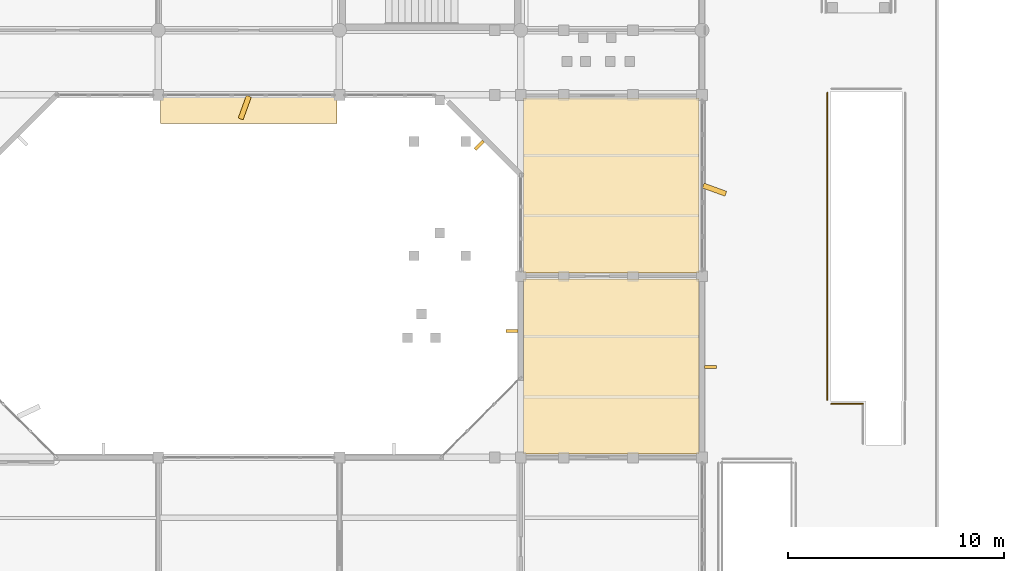
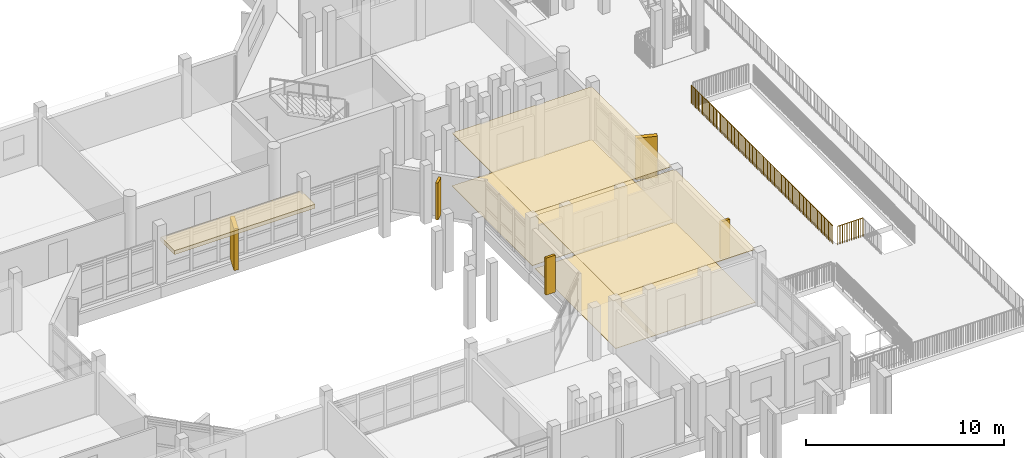
# One storey, part 83 of 104: 7 coverings, 3 shading devices, 2 railings.
"""IFC4 building model written with IfcOpenShell, lengths in metres."""

from ifc_helpers import new_model, si_unit, direction, frame, origin, origin_2d, place, context, subcontext, project, spatial, polyline, rectangle, circle, outline, extrude, material, layer, layer_set, type_object, element, save


model = new_model("IFC4")

# Units and contexts
model_context = context("Model", 3, precision=1e-05, world=origin(), true_north=direction((0.0, 1.0)))
body_context = subcontext(model_context, "Body", "Model", "MODEL_VIEW")
ifc_project = project(units=[si_unit("LENGTHUNIT", "METRE"), si_unit("AREAUNIT", "SQUARE_METRE"), si_unit("VOLUMEUNIT", "CUBIC_METRE"), si_unit("PLANEANGLEUNIT", "RADIAN"), si_unit("MASSUNIT", "GRAM", prefix="KILO")], contexts=[model_context])

# Site, building, storey
site_placement = place(None, origin())
site = spatial("IfcSite", under=ifc_project, at=site_placement, CompositionType="ELEMENT")
building_placement = place(site_placement, origin())
building = spatial("IfcBuilding", under=site, at=building_placement, Name="Vanh Quang Courtyard School", CompositionType="ELEMENT")
storey_placement = place(building_placement, frame((0.0, 0.0, 4.199951171875)))
storey = spatial("IfcBuildingStorey", under=building, at=storey_placement, Name="L01", CompositionType="ELEMENT", Elevation=4.199951171875)

# Coverings
ifc_material_1 = material(Name="Perforated mineral-fibre acoustic ceiling board")
ifc_layer_1 = layer(ifc_material_1, 0.02490234375)
ifc_layer_set_1 = layer_set([ifc_layer_1], Name="Perforated mineral-fibre acoustic ceiling board")
covering_type_1 = type_object("IfcCoveringType", Name="COV-CEIL-ACOUSTIC", PredefinedType="CEILING", material=ifc_layer_set_1)
covering_1_placement = place(storey_placement, frame((0.0, 0.0, 3.255126953125)))
element("IfcCovering", 1, at=covering_1_placement, inside=storey, type_object=covering_type_1, Name="Covering CV-CL1 (L01)", PredefinedType="CEILING", context=body_context, shape_type="SweptSolid", body=[
    extrude(outline(polyline([(111.139892578125, 12.749267578125), (111.138916015625, 12.749267578125), (111.137939453125, 12.74951171875), (111.13720703125, 12.74951171875), (111.13623046875, 12.75), (111.13525390625, 12.75048828125), (111.134521484375, 12.7509765625), (111.1337890625, 12.75146484375), (111.1328125, 12.752197265625), (111.13232421875, 12.7529296875), (111.131591796875, 12.753662109375), (111.131103515625, 12.75439453125), (111.130859375, 12.75537109375), (111.13037109375, 12.75634765625), (111.130126953125, 12.757080078125), (111.1298828125, 12.75830078125), (111.1298828125, 12.75927734375), (111.1298828125, 20.860107421875), (111.1298828125, 20.861083984375), (111.130126953125, 20.862060546875), (111.13037109375, 20.86279296875), (111.130859375, 20.86376953125), (111.131103515625, 20.86474609375), (111.131591796875, 20.865478515625), (111.13232421875, 20.8662109375), (111.1328125, 20.8671875), (111.1337890625, 20.86767578125), (111.134521484375, 20.868408203125), (111.13525390625, 20.868896484375), (111.13623046875, 20.869140625), (111.13720703125, 20.86962890625), (111.137939453125, 20.869873046875), (111.138916015625, 20.8701171875), (111.139892578125, 20.8701171875), (119.260009765625, 20.8701171875), (119.260986328125, 20.8701171875), (119.261962890625, 20.869873046875), (119.262939453125, 20.86962890625), (119.263916015625, 20.869140625), (119.2646484375, 20.868896484375), (119.265625, 20.868408203125), (119.266357421875, 20.86767578125), (119.26708984375, 20.8671875), (119.267578125, 20.8662109375), (119.268310546875, 20.865478515625), (119.268798828125, 20.86474609375), (119.269287109375, 20.86376953125), (119.26953125, 20.86279296875), (119.269775390625, 20.862060546875), (119.27001953125, 20.861083984375), (119.27001953125, 20.860107421875), (119.27001953125, 12.760009765625), (119.27001953125, 12.759033203125), (119.269775390625, 12.758056640625), (119.26953125, 12.757080078125), (119.269287109375, 12.756103515625), (119.268798828125, 12.75537109375), (119.268310546875, 12.75439453125), (119.267578125, 12.753662109375), (119.26708984375, 12.7529296875), (119.266357421875, 12.752197265625), (119.265625, 12.751708984375), (119.2646484375, 12.751220703125), (119.263916015625, 12.750732421875), (119.262939453125, 12.75048828125), (119.261962890625, 12.750244140625), (119.260986328125, 12.75), (119.260009765625, 12.75), (111.139892578125, 12.749267578125)])), origin(), (0.0, 0.0, 1.0), 0.02490234375),
])
covering_2_placement = place(storey_placement, frame((0.0, 0.0, 3.255126953125)))
element("IfcCovering", 2, at=covering_2_placement, inside=storey, type_object=covering_type_1, Name="Covering CV-CL1 (L01)", PredefinedType="CEILING", context=body_context, shape_type="SweptSolid", body=[
    extrude(outline(polyline([(111.139892578125, 21.14990234375), (111.138916015625, 21.14990234375), (111.137939453125, 21.150146484375), (111.13720703125, 21.150390625), (111.13623046875, 21.15087890625), (111.13525390625, 21.151123046875), (111.134521484375, 21.151611328125), (111.1337890625, 21.15234375), (111.1328125, 21.15283203125), (111.13232421875, 21.15380859375), (111.131591796875, 21.154296875), (111.131103515625, 21.1552734375), (111.130859375, 21.15625), (111.13037109375, 21.156982421875), (111.130126953125, 21.157958984375), (111.1298828125, 21.158935546875), (111.1298828125, 21.159912109375), (111.1298828125, 29.239990234375), (111.1298828125, 29.240966796875), (111.130126953125, 29.241943359375), (111.13037109375, 29.242919921875), (111.130859375, 29.243896484375), (111.131103515625, 29.24462890625), (111.131591796875, 29.24560546875), (111.13232421875, 29.246337890625), (111.1328125, 29.2470703125), (111.1337890625, 29.247802734375), (111.134521484375, 29.248291015625), (111.13525390625, 29.248779296875), (111.13623046875, 29.249267578125), (111.13720703125, 29.24951171875), (111.137939453125, 29.249755859375), (111.138916015625, 29.25), (111.139892578125, 29.25), (119.260009765625, 29.25), (119.260986328125, 29.25), (119.261962890625, 29.249755859375), (119.262939453125, 29.24951171875), (119.263916015625, 29.249267578125), (119.2646484375, 29.248779296875), (119.265625, 29.248291015625), (119.266357421875, 29.247802734375), (119.26708984375, 29.2470703125), (119.267578125, 29.246337890625), (119.268310546875, 29.24560546875), (119.268798828125, 29.24462890625), (119.269287109375, 29.243896484375), (119.26953125, 29.242919921875), (119.269775390625, 29.241943359375), (119.27001953125, 29.240966796875), (119.27001953125, 29.239990234375), (119.27001953125, 21.159912109375), (119.27001953125, 21.158935546875), (119.269775390625, 21.157958984375), (119.26953125, 21.156982421875), (119.269287109375, 21.15625), (119.268798828125, 21.1552734375), (119.268310546875, 21.154296875), (119.267578125, 21.15380859375), (119.26708984375, 21.15283203125), (119.266357421875, 21.15234375), (119.265625, 21.151611328125), (119.2646484375, 21.151123046875), (119.263916015625, 21.15087890625), (119.262939453125, 21.150390625), (119.261962890625, 21.150146484375), (119.260986328125, 21.14990234375), (119.260009765625, 21.14990234375), (111.139892578125, 21.14990234375)])), origin(), (0.0, 0.0, 1.0), 0.02490234375),
])
ifc_material_2 = material(Name="Polished cementitious terrazzo tile", Category="concrete")
ifc_layer_2 = layer(ifc_material_2, 0.02001953125)
ifc_layer_set_2 = layer_set([ifc_layer_2], Name="Polished cementitious terrazzo tile")
covering_type_2 = type_object("IfcCoveringType", Name="COV-FLR-TERRAZZO", PredefinedType="FLOORING", material=ifc_layer_set_2)
covering_3_placement = place(storey_placement, origin())
element("IfcCovering", 3, at=covering_3_placement, inside=storey, type_object=covering_type_2, Name="Covering CV-FL1 (L01)", PredefinedType="FLOORING", context=body_context, shape_type="SweptSolid", body=[
    extrude(outline(polyline([(111.139892578125, 12.749267578125), (111.138916015625, 12.749267578125), (111.137939453125, 12.74951171875), (111.13720703125, 12.74951171875), (111.13623046875, 12.75), (111.13525390625, 12.75048828125), (111.134521484375, 12.7509765625), (111.1337890625, 12.75146484375), (111.1328125, 12.752197265625), (111.13232421875, 12.7529296875), (111.131591796875, 12.753662109375), (111.131103515625, 12.75439453125), (111.130859375, 12.75537109375), (111.13037109375, 12.75634765625), (111.130126953125, 12.757080078125), (111.1298828125, 12.75830078125), (111.1298828125, 12.75927734375), (111.1298828125, 20.860107421875), (111.1298828125, 20.861083984375), (111.130126953125, 20.862060546875), (111.13037109375, 20.86279296875), (111.130859375, 20.86376953125), (111.131103515625, 20.86474609375), (111.131591796875, 20.865478515625), (111.13232421875, 20.8662109375), (111.1328125, 20.8671875), (111.1337890625, 20.86767578125), (111.134521484375, 20.868408203125), (111.13525390625, 20.868896484375), (111.13623046875, 20.869140625), (111.13720703125, 20.86962890625), (111.137939453125, 20.869873046875), (111.138916015625, 20.8701171875), (111.139892578125, 20.8701171875), (119.260009765625, 20.8701171875), (119.260986328125, 20.8701171875), (119.261962890625, 20.869873046875), (119.262939453125, 20.86962890625), (119.263916015625, 20.869140625), (119.2646484375, 20.868896484375), (119.265625, 20.868408203125), (119.266357421875, 20.86767578125), (119.26708984375, 20.8671875), (119.267578125, 20.8662109375), (119.268310546875, 20.865478515625), (119.268798828125, 20.86474609375), (119.269287109375, 20.86376953125), (119.26953125, 20.86279296875), (119.269775390625, 20.862060546875), (119.27001953125, 20.861083984375), (119.27001953125, 20.860107421875), (119.27001953125, 12.760009765625), (119.27001953125, 12.759033203125), (119.269775390625, 12.758056640625), (119.26953125, 12.757080078125), (119.269287109375, 12.756103515625), (119.268798828125, 12.75537109375), (119.268310546875, 12.75439453125), (119.267578125, 12.753662109375), (119.26708984375, 12.7529296875), (119.266357421875, 12.752197265625), (119.265625, 12.751708984375), (119.2646484375, 12.751220703125), (119.263916015625, 12.750732421875), (119.262939453125, 12.75048828125), (119.261962890625, 12.750244140625), (119.260986328125, 12.75), (119.260009765625, 12.75), (111.139892578125, 12.749267578125)])), origin(), (0.0, 0.0, 1.0), 0.02001953125),
])
covering_4_placement = place(storey_placement, origin())
element("IfcCovering", 4, at=covering_4_placement, inside=storey, type_object=covering_type_2, Name="Covering CV-FL1 (L01)", PredefinedType="FLOORING", context=body_context, shape_type="SweptSolid", body=[
    extrude(outline(polyline([(111.139892578125, 21.14990234375), (111.138916015625, 21.14990234375), (111.137939453125, 21.150146484375), (111.13720703125, 21.150390625), (111.13623046875, 21.15087890625), (111.13525390625, 21.151123046875), (111.134521484375, 21.151611328125), (111.1337890625, 21.15234375), (111.1328125, 21.15283203125), (111.13232421875, 21.15380859375), (111.131591796875, 21.154296875), (111.131103515625, 21.1552734375), (111.130859375, 21.15625), (111.13037109375, 21.156982421875), (111.130126953125, 21.157958984375), (111.1298828125, 21.158935546875), (111.1298828125, 21.159912109375), (111.1298828125, 29.239990234375), (111.1298828125, 29.240966796875), (111.130126953125, 29.241943359375), (111.13037109375, 29.242919921875), (111.130859375, 29.243896484375), (111.131103515625, 29.24462890625), (111.131591796875, 29.24560546875), (111.13232421875, 29.246337890625), (111.1328125, 29.2470703125), (111.1337890625, 29.247802734375), (111.134521484375, 29.248291015625), (111.13525390625, 29.248779296875), (111.13623046875, 29.249267578125), (111.13720703125, 29.24951171875), (111.137939453125, 29.249755859375), (111.138916015625, 29.25), (111.139892578125, 29.25), (119.260009765625, 29.25), (119.260986328125, 29.25), (119.261962890625, 29.249755859375), (119.262939453125, 29.24951171875), (119.263916015625, 29.249267578125), (119.2646484375, 29.248779296875), (119.265625, 29.248291015625), (119.266357421875, 29.247802734375), (119.26708984375, 29.2470703125), (119.267578125, 29.246337890625), (119.268310546875, 29.24560546875), (119.268798828125, 29.24462890625), (119.269287109375, 29.243896484375), (119.26953125, 29.242919921875), (119.269775390625, 29.241943359375), (119.27001953125, 29.240966796875), (119.27001953125, 29.239990234375), (119.27001953125, 21.159912109375), (119.27001953125, 21.158935546875), (119.269775390625, 21.157958984375), (119.26953125, 21.156982421875), (119.269287109375, 21.15625), (119.268798828125, 21.1552734375), (119.268310546875, 21.154296875), (119.267578125, 21.15380859375), (119.26708984375, 21.15283203125), (119.266357421875, 21.15234375), (119.265625, 21.151611328125), (119.2646484375, 21.151123046875), (119.263916015625, 21.15087890625), (119.262939453125, 21.150390625), (119.261962890625, 21.150146484375), (119.260986328125, 21.14990234375), (119.260009765625, 21.14990234375), (111.139892578125, 21.14990234375)])), origin(), (0.0, 0.0, 1.0), 0.02001953125),
])
ifc_material_3 = material(Name="Board-marked precast concrete C40/50", Category="concrete")
ifc_layer_3 = layer(ifc_material_3, 0.239990234375)
ifc_layer_set_3 = layer_set([ifc_layer_3], Name="Board-marked precast concrete C40/50")
covering_type_3 = type_object("IfcCoveringType", Name="COV-HOOD-CONC", PredefinedType="CLADDING", material=ifc_layer_set_3)
covering_5_placement = place(storey_placement, frame((119.985107421875, 25.010009765625, 0.0), z_axis=(0.0, 0.0, 1.0), x_axis=(0.94028812701, -0.340379550213, 0.0)))
element("IfcCovering", 5, at=covering_5_placement, inside=storey, type_object=covering_type_3, Name="Covering CH-01 (L01)", PredefinedType="CLADDING", context=body_context, shape_type="SweptSolid", body=[
    extrude(rectangle(XDim=1.11669921875, YDim=0.239990234375, at=origin_2d()), origin(), (0.0, 0.0, 1.0), 2.56005859375),
])
covering_6_placement = place(storey_placement, frame((98.39990234375, 28.780029296875, 2.3798828125), z_axis=(0.0, 0.0, 1.0), x_axis=(-1.0, 0.0, 0.0)))
element("IfcCovering", 6, at=covering_6_placement, inside=storey, type_object=covering_type_3, Name="Covering CH-01 (L01)", PredefinedType="CLADDING", context=body_context, shape_type="SweptSolid", body=[
    extrude(rectangle(XDim=8.18408203125, YDim=1.39990234375, at=origin_2d()), origin(), (0.0, 0.0, 1.0), 0.239990234375),
])
covering_7_placement = place(storey_placement, frame((98.2099609375, 28.81494140625, 0.0), z_axis=(0.0, 0.0, 1.0), x_axis=(-0.340379550213, -0.94028812701, 0.0)))
element("IfcCovering", 7, at=covering_7_placement, inside=storey, type_object=covering_type_3, Name="Covering CH-01 (L01)", PredefinedType="CLADDING", context=body_context, shape_type="SweptSolid", body=[
    extrude(rectangle(XDim=1.11669921875, YDim=0.239990234375, at=origin_2d()), origin(), (0.0, 0.0, 1.0), 2.56005859375),
])

# Railings
ifc_material_4 = material(Name="Galvanised painted steel EN 10025-2 S355J2", Category="steel")
railing_type = type_object("IfcRailingType", Name="RAIL-GUARD-1150", PredefinedType="BALUSTRADE", material=ifc_material_4)
railing_1_placement = place(storey_placement, frame((125.2099609375, 29.5, 0.0)))
element("IfcRailing", 8, at=railing_1_placement, inside=storey, type_object=railing_type, Name="Railing GR-01 (L01)", PredefinedType="BALUSTRADE", context=body_context, shape_type="SweptSolid", body=[
    extrude(circle(Radius=0.02392578125, at=origin_2d()), frame((0.0, 0.0, 1.1259765625), z_axis=(0.0, -1.0, 0.0), x_axis=(1.0, 0.0, 0.0)), (0.0, 0.0, 1.0), 14.22998046875),
    extrude(circle(Radius=0.02099609375, at=origin_2d()), origin(), (0.0, 0.0, 1.0), 1.101806640625),
    extrude(circle(Radius=0.02099609375, at=origin_2d()), frame((0.0, -0.139404296875, 0.0)), (0.0, 0.0, 1.0), 1.101806640625),
    extrude(circle(Radius=0.02099609375, at=origin_2d()), frame((0.0, -0.279052734375, 0.0)), (0.0, 0.0, 1.0), 1.101806640625),
    extrude(circle(Radius=0.02099609375, at=origin_2d()), frame((0.0, -0.41845703125, 0.0)), (0.0, 0.0, 1.0), 1.101806640625),
    extrude(circle(Radius=0.02099609375, at=origin_2d()), frame((0.0, -0.55810546875, 0.0)), (0.0, 0.0, 1.0), 1.101806640625),
    extrude(circle(Radius=0.02099609375, at=origin_2d()), frame((0.0, -0.697509765625, 0.0)), (0.0, 0.0, 1.0), 1.101806640625),
    extrude(circle(Radius=0.02099609375, at=origin_2d()), frame((0.0, -0.837158203125, 0.0)), (0.0, 0.0, 1.0), 1.101806640625),
    extrude(circle(Radius=0.02099609375, at=origin_2d()), frame((0.0, -0.9765625, 0.0)), (0.0, 0.0, 1.0), 1.101806640625),
    extrude(circle(Radius=0.02099609375, at=origin_2d()), frame((0.0, -1.115966796875, 0.0)), (0.0, 0.0, 1.0), 1.101806640625),
    extrude(circle(Radius=0.02099609375, at=origin_2d()), frame((0.0, -1.255615234375, 0.0)), (0.0, 0.0, 1.0), 1.101806640625),
    extrude(circle(Radius=0.02099609375, at=origin_2d()), frame((0.0, -1.39501953125, 0.0)), (0.0, 0.0, 1.0), 1.101806640625),
    extrude(circle(Radius=0.02099609375, at=origin_2d()), frame((0.0, -1.53466796875, 0.0)), (0.0, 0.0, 1.0), 1.101806640625),
    extrude(circle(Radius=0.02099609375, at=origin_2d()), frame((0.0, -1.674072265625, 0.0)), (0.0, 0.0, 1.0), 1.101806640625),
    extrude(circle(Radius=0.02099609375, at=origin_2d()), frame((0.0, -1.813720703125, 0.0)), (0.0, 0.0, 1.0), 1.101806640625),
    extrude(circle(Radius=0.02099609375, at=origin_2d()), frame((0.0, -1.953125, 0.0)), (0.0, 0.0, 1.0), 1.101806640625),
    extrude(circle(Radius=0.02099609375, at=origin_2d()), frame((0.0, -2.092529296875, 0.0)), (0.0, 0.0, 1.0), 1.101806640625),
    extrude(circle(Radius=0.02099609375, at=origin_2d()), frame((0.0, -2.232177734375, 0.0)), (0.0, 0.0, 1.0), 1.101806640625),
    extrude(circle(Radius=0.02099609375, at=origin_2d()), frame((0.0, -2.37158203125, 0.0)), (0.0, 0.0, 1.0), 1.101806640625),
    extrude(circle(Radius=0.02099609375, at=origin_2d()), frame((0.0, -2.51123046875, 0.0)), (0.0, 0.0, 1.0), 1.101806640625),
    extrude(circle(Radius=0.02099609375, at=origin_2d()), frame((0.0, -2.650634765625, 0.0)), (0.0, 0.0, 1.0), 1.101806640625),
    extrude(circle(Radius=0.02099609375, at=origin_2d()), frame((0.0, -2.790283203125, 0.0)), (0.0, 0.0, 1.0), 1.101806640625),
    extrude(circle(Radius=0.02099609375, at=origin_2d()), frame((0.0, -2.9296875, 0.0)), (0.0, 0.0, 1.0), 1.101806640625),
    extrude(circle(Radius=0.02099609375, at=origin_2d()), frame((0.0, -3.069091796875, 0.0)), (0.0, 0.0, 1.0), 1.101806640625),
    extrude(circle(Radius=0.02099609375, at=origin_2d()), frame((0.0, -3.208740234375, 0.0)), (0.0, 0.0, 1.0), 1.101806640625),
    extrude(circle(Radius=0.02099609375, at=origin_2d()), frame((0.0, -3.34814453125, 0.0)), (0.0, 0.0, 1.0), 1.101806640625),
    extrude(circle(Radius=0.02099609375, at=origin_2d()), frame((0.0, -3.48779296875, 0.0)), (0.0, 0.0, 1.0), 1.101806640625),
    extrude(circle(Radius=0.02099609375, at=origin_2d()), frame((0.0, -3.627197265625, 0.0)), (0.0, 0.0, 1.0), 1.101806640625),
    extrude(circle(Radius=0.02099609375, at=origin_2d()), frame((0.0, -3.766845703125, 0.0)), (0.0, 0.0, 1.0), 1.101806640625),
    extrude(circle(Radius=0.02099609375, at=origin_2d()), frame((0.0, -3.90625, 0.0)), (0.0, 0.0, 1.0), 1.101806640625),
    extrude(circle(Radius=0.02099609375, at=origin_2d()), frame((0.0, -4.0458984375, 0.0)), (0.0, 0.0, 1.0), 1.101806640625),
    extrude(circle(Radius=0.02099609375, at=origin_2d()), frame((0.0, -4.185302734375, 0.0)), (0.0, 0.0, 1.0), 1.101806640625),
    extrude(circle(Radius=0.02099609375, at=origin_2d()), frame((0.0, -4.32470703125, 0.0)), (0.0, 0.0, 1.0), 1.101806640625),
    extrude(circle(Radius=0.02099609375, at=origin_2d()), frame((0.0, -4.46435546875, 0.0)), (0.0, 0.0, 1.0), 1.101806640625),
    extrude(circle(Radius=0.02099609375, at=origin_2d()), frame((0.0, -4.603759765625, 0.0)), (0.0, 0.0, 1.0), 1.101806640625),
    extrude(circle(Radius=0.02099609375, at=origin_2d()), frame((0.0, -4.743408203125, 0.0)), (0.0, 0.0, 1.0), 1.101806640625),
    extrude(circle(Radius=0.02099609375, at=origin_2d()), frame((0.0, -4.8828125, 0.0)), (0.0, 0.0, 1.0), 1.101806640625),
    extrude(circle(Radius=0.02099609375, at=origin_2d()), frame((0.0, -5.0224609375, 0.0)), (0.0, 0.0, 1.0), 1.101806640625),
    extrude(circle(Radius=0.02099609375, at=origin_2d()), frame((0.0, -5.161865234375, 0.0)), (0.0, 0.0, 1.0), 1.101806640625),
    extrude(circle(Radius=0.02099609375, at=origin_2d()), frame((0.0, -5.30126953125, 0.0)), (0.0, 0.0, 1.0), 1.101806640625),
    extrude(circle(Radius=0.02099609375, at=origin_2d()), frame((0.0, -5.44091796875, 0.0)), (0.0, 0.0, 1.0), 1.101806640625),
    extrude(circle(Radius=0.02099609375, at=origin_2d()), frame((0.0, -5.580322265625, 0.0)), (0.0, 0.0, 1.0), 1.101806640625),
    extrude(circle(Radius=0.02099609375, at=origin_2d()), frame((0.0, -5.719970703125, 0.0)), (0.0, 0.0, 1.0), 1.101806640625),
    extrude(circle(Radius=0.02099609375, at=origin_2d()), frame((0.0, -5.859375, 0.0)), (0.0, 0.0, 1.0), 1.101806640625),
    extrude(circle(Radius=0.02099609375, at=origin_2d()), frame((0.0, -5.9990234375, 0.0)), (0.0, 0.0, 1.0), 1.101806640625),
    extrude(circle(Radius=0.02099609375, at=origin_2d()), frame((0.0, -6.138427734375, 0.0)), (0.0, 0.0, 1.0), 1.101806640625),
    extrude(circle(Radius=0.02099609375, at=origin_2d()), frame((0.0, -6.27783203125, 0.0)), (0.0, 0.0, 1.0), 1.101806640625),
    extrude(circle(Radius=0.02099609375, at=origin_2d()), frame((0.0, -6.41748046875, 0.0)), (0.0, 0.0, 1.0), 1.101806640625),
    extrude(circle(Radius=0.02099609375, at=origin_2d()), frame((0.0, -6.556884765625, 0.0)), (0.0, 0.0, 1.0), 1.101806640625),
    extrude(circle(Radius=0.02099609375, at=origin_2d()), frame((0.0, -6.696533203125, 0.0)), (0.0, 0.0, 1.0), 1.101806640625),
    extrude(circle(Radius=0.02099609375, at=origin_2d()), frame((0.0, -6.8359375, 0.0)), (0.0, 0.0, 1.0), 1.101806640625),
    extrude(circle(Radius=0.02099609375, at=origin_2d()), frame((0.0, -6.9755859375, 0.0)), (0.0, 0.0, 1.0), 1.101806640625),
    extrude(circle(Radius=0.02099609375, at=origin_2d()), frame((0.0, -7.114990234375, 0.0)), (0.0, 0.0, 1.0), 1.101806640625),
    extrude(circle(Radius=0.02099609375, at=origin_2d()), frame((0.0, -7.25439453125, 0.0)), (0.0, 0.0, 1.0), 1.101806640625),
    extrude(circle(Radius=0.02099609375, at=origin_2d()), frame((0.0, -7.39404296875, 0.0)), (0.0, 0.0, 1.0), 1.101806640625),
    extrude(circle(Radius=0.02099609375, at=origin_2d()), frame((0.0, -7.533447265625, 0.0)), (0.0, 0.0, 1.0), 1.101806640625),
    extrude(circle(Radius=0.02099609375, at=origin_2d()), frame((0.0, -7.673095703125, 0.0)), (0.0, 0.0, 1.0), 1.101806640625),
    extrude(circle(Radius=0.02099609375, at=origin_2d()), frame((0.0, -7.8125, 0.0)), (0.0, 0.0, 1.0), 1.101806640625),
    extrude(circle(Radius=0.02099609375, at=origin_2d()), frame((0.0, -7.9521484375, 0.0)), (0.0, 0.0, 1.0), 1.101806640625),
    extrude(circle(Radius=0.02099609375, at=origin_2d()), frame((0.0, -8.091552734375, 0.0)), (0.0, 0.0, 1.0), 1.101806640625),
    extrude(circle(Radius=0.02099609375, at=origin_2d()), frame((0.0, -8.23095703125, 0.0)), (0.0, 0.0, 1.0), 1.101806640625),
    extrude(circle(Radius=0.02099609375, at=origin_2d()), frame((0.0, -8.37060546875, 0.0)), (0.0, 0.0, 1.0), 1.101806640625),
    extrude(circle(Radius=0.02099609375, at=origin_2d()), frame((0.0, -8.510009765625, 0.0)), (0.0, 0.0, 1.0), 1.101806640625),
    extrude(circle(Radius=0.02099609375, at=origin_2d()), frame((0.0, -8.649658203125, 0.0)), (0.0, 0.0, 1.0), 1.101806640625),
    extrude(circle(Radius=0.02099609375, at=origin_2d()), frame((0.0, -8.7890625, 0.0)), (0.0, 0.0, 1.0), 1.101806640625),
    extrude(circle(Radius=0.02099609375, at=origin_2d()), frame((0.0, -8.9287109375, 0.0)), (0.0, 0.0, 1.0), 1.101806640625),
    extrude(circle(Radius=0.02099609375, at=origin_2d()), frame((0.0, -9.068115234375, 0.0)), (0.0, 0.0, 1.0), 1.101806640625),
    extrude(circle(Radius=0.02099609375, at=origin_2d()), frame((0.0, -9.20751953125, 0.0)), (0.0, 0.0, 1.0), 1.101806640625),
    extrude(circle(Radius=0.02099609375, at=origin_2d()), frame((0.0, -9.34716796875, 0.0)), (0.0, 0.0, 1.0), 1.101806640625),
    extrude(circle(Radius=0.02099609375, at=origin_2d()), frame((0.0, -9.486572265625, 0.0)), (0.0, 0.0, 1.0), 1.101806640625),
    extrude(circle(Radius=0.02099609375, at=origin_2d()), frame((0.0, -9.626220703125, 0.0)), (0.0, 0.0, 1.0), 1.101806640625),
    extrude(circle(Radius=0.02099609375, at=origin_2d()), frame((0.0, -9.765625, 0.0)), (0.0, 0.0, 1.0), 1.101806640625),
    extrude(circle(Radius=0.02099609375, at=origin_2d()), frame((0.0, -9.9052734375, 0.0)), (0.0, 0.0, 1.0), 1.101806640625),
    extrude(circle(Radius=0.02099609375, at=origin_2d()), frame((0.0, -10.044677734375, 0.0)), (0.0, 0.0, 1.0), 1.101806640625),
    extrude(circle(Radius=0.02099609375, at=origin_2d()), frame((0.0, -10.18408203125, 0.0)), (0.0, 0.0, 1.0), 1.101806640625),
    extrude(circle(Radius=0.02099609375, at=origin_2d()), frame((0.0, -10.32373046875, 0.0)), (0.0, 0.0, 1.0), 1.101806640625),
    extrude(circle(Radius=0.02099609375, at=origin_2d()), frame((0.0, -10.463134765625, 0.0)), (0.0, 0.0, 1.0), 1.101806640625),
    extrude(circle(Radius=0.02099609375, at=origin_2d()), frame((0.0, -10.602783203125, 0.0)), (0.0, 0.0, 1.0), 1.101806640625),
    extrude(circle(Radius=0.02099609375, at=origin_2d()), frame((0.0, -10.7421875, 0.0)), (0.0, 0.0, 1.0), 1.101806640625),
    extrude(circle(Radius=0.02099609375, at=origin_2d()), frame((0.0, -10.8818359375, 0.0)), (0.0, 0.0, 1.0), 1.101806640625),
    extrude(circle(Radius=0.02099609375, at=origin_2d()), frame((0.0, -11.021240234375, 0.0)), (0.0, 0.0, 1.0), 1.101806640625),
    extrude(circle(Radius=0.02099609375, at=origin_2d()), frame((0.0, -11.160888671875, 0.0)), (0.0, 0.0, 1.0), 1.101806640625),
    extrude(circle(Radius=0.02099609375, at=origin_2d()), frame((0.0, -11.30029296875, 0.0)), (0.0, 0.0, 1.0), 1.101806640625),
    extrude(circle(Radius=0.02099609375, at=origin_2d()), frame((0.0, -11.439697265625, 0.0)), (0.0, 0.0, 1.0), 1.101806640625),
    extrude(circle(Radius=0.02099609375, at=origin_2d()), frame((0.0, -11.579345703125, 0.0)), (0.0, 0.0, 1.0), 1.101806640625),
    extrude(circle(Radius=0.02099609375, at=origin_2d()), frame((0.0, -11.71875, 0.0)), (0.0, 0.0, 1.0), 1.101806640625),
    extrude(circle(Radius=0.02099609375, at=origin_2d()), frame((0.0, -11.8583984375, 0.0)), (0.0, 0.0, 1.0), 1.101806640625),
    extrude(circle(Radius=0.02099609375, at=origin_2d()), frame((0.0, -11.997802734375, 0.0)), (0.0, 0.0, 1.0), 1.101806640625),
    extrude(circle(Radius=0.02099609375, at=origin_2d()), frame((0.0, -12.137451171875, 0.0)), (0.0, 0.0, 1.0), 1.101806640625),
    extrude(circle(Radius=0.02099609375, at=origin_2d()), frame((0.0, -12.27685546875, 0.0)), (0.0, 0.0, 1.0), 1.101806640625),
    extrude(circle(Radius=0.02099609375, at=origin_2d()), frame((0.0, -12.416259765625, 0.0)), (0.0, 0.0, 1.0), 1.101806640625),
    extrude(circle(Radius=0.02099609375, at=origin_2d()), frame((0.0, -12.555908203125, 0.0)), (0.0, 0.0, 1.0), 1.101806640625),
    extrude(circle(Radius=0.02099609375, at=origin_2d()), frame((0.0, -12.6953125, 0.0)), (0.0, 0.0, 1.0), 1.101806640625),
    extrude(circle(Radius=0.02099609375, at=origin_2d()), frame((0.0, -12.8349609375, 0.0)), (0.0, 0.0, 1.0), 1.101806640625),
    extrude(circle(Radius=0.02099609375, at=origin_2d()), frame((0.0, -12.974365234375, 0.0)), (0.0, 0.0, 1.0), 1.101806640625),
    extrude(circle(Radius=0.02099609375, at=origin_2d()), frame((0.0, -13.114013671875, 0.0)), (0.0, 0.0, 1.0), 1.101806640625),
    extrude(circle(Radius=0.02099609375, at=origin_2d()), frame((0.0, -13.25341796875, 0.0)), (0.0, 0.0, 1.0), 1.101806640625),
    extrude(circle(Radius=0.02099609375, at=origin_2d()), frame((0.0, -13.392822265625, 0.0)), (0.0, 0.0, 1.0), 1.101806640625),
    extrude(circle(Radius=0.02099609375, at=origin_2d()), frame((0.0, -13.532470703125, 0.0)), (0.0, 0.0, 1.0), 1.101806640625),
    extrude(circle(Radius=0.02099609375, at=origin_2d()), frame((0.0, -13.671875, 0.0)), (0.0, 0.0, 1.0), 1.101806640625),
    extrude(circle(Radius=0.02099609375, at=origin_2d()), frame((0.0, -13.8115234375, 0.0)), (0.0, 0.0, 1.0), 1.101806640625),
    extrude(circle(Radius=0.02099609375, at=origin_2d()), frame((0.0, -13.950927734375, 0.0)), (0.0, 0.0, 1.0), 1.101806640625),
    extrude(circle(Radius=0.02099609375, at=origin_2d()), frame((0.0, -14.090576171875, 0.0)), (0.0, 0.0, 1.0), 1.101806640625),
    extrude(circle(Radius=0.02099609375, at=origin_2d()), frame((0.0, -14.22998046875, 0.0)), (0.0, 0.0, 1.0), 1.101806640625),
])
railing_2_placement = place(storey_placement, frame((125.39990234375, 15.080078125, 0.0)))
element("IfcRailing", 9, at=railing_2_placement, inside=storey, type_object=railing_type, Name="Railing GR-01 (L01)", PredefinedType="BALUSTRADE", context=body_context, shape_type="SweptSolid", body=[
    extrude(circle(Radius=0.02392578125, at=origin_2d()), frame((0.0, 0.0, 1.1259765625), z_axis=(1.0, 0.0, 0.0), x_axis=(0.0, 1.0, 0.0)), (0.0, 0.0, 1.0), 1.465087890625),
    extrude(circle(Radius=0.02099609375, at=origin_2d()), origin(), (0.0, 0.0, 1.0), 1.101806640625),
    extrude(circle(Radius=0.02099609375, at=origin_2d()), frame((0.13330078125, 0.0, 0.0)), (0.0, 0.0, 1.0), 1.101806640625),
    extrude(circle(Radius=0.02099609375, at=origin_2d()), frame((0.266357421875, 0.0, 0.0)), (0.0, 0.0, 1.0), 1.101806640625),
    extrude(circle(Radius=0.02099609375, at=origin_2d()), frame((0.399658203125, 0.0, 0.0)), (0.0, 0.0, 1.0), 1.101806640625),
    extrude(circle(Radius=0.02099609375, at=origin_2d()), frame((0.53271484375, 0.0, 0.0)), (0.0, 0.0, 1.0), 1.101806640625),
    extrude(circle(Radius=0.02099609375, at=origin_2d()), frame((0.666015625, 0.0, 0.0)), (0.0, 0.0, 1.0), 1.101806640625),
    extrude(circle(Radius=0.02099609375, at=origin_2d()), frame((0.799072265625, 0.0, 0.0)), (0.0, 0.0, 1.0), 1.101806640625),
    extrude(circle(Radius=0.02099609375, at=origin_2d()), frame((0.932373046875, 0.0, 0.0)), (0.0, 0.0, 1.0), 1.101806640625),
    extrude(circle(Radius=0.02099609375, at=origin_2d()), frame((1.0654296875, 0.0, 0.0)), (0.0, 0.0, 1.0), 1.101806640625),
    extrude(circle(Radius=0.02099609375, at=origin_2d()), frame((1.19873046875, 0.0, 0.0)), (0.0, 0.0, 1.0), 1.101806640625),
    extrude(circle(Radius=0.02099609375, at=origin_2d()), frame((1.331787109375, 0.0, 0.0)), (0.0, 0.0, 1.0), 1.101806640625),
    extrude(circle(Radius=0.02099609375, at=origin_2d()), frame((1.465087890625, 0.0, 0.0)), (0.0, 0.0, 1.0), 1.101806640625),
])

# Shading devices
shading_device_type = type_object("IfcShadingDeviceType", Name="SHD-FIN-CONCRETE", PredefinedType="USERDEFINED", material=ifc_material_3)
for number, where, z_axis, x_axis, name in (
    (10, (119.794921875, 16.800048828125, 0.14990234375), (0.0, 0.0, 1.0), (0.0, -1.0, 0.0), "Solar Shading SH-02 (L01)"),
    (11, (110.60498046875, 18.464111328125, 0.14990234375), (0.0, 0.0, 1.0), (0.0, 1.0, 0.0), "Solar Shading SH-02 (L01)"),
    (12, (109.075927734375, 27.0693359375, 0.14990234375), (0.0, 0.0, 1.0), (-0.707106781187, 0.707106781187, 0.0), "Solar Shading SH-02 (L01)"),
):
    element("IfcShadingDevice", number, at=place(storey_placement, frame(where, z_axis=z_axis, x_axis=x_axis)), inside=storey, type_object=shading_device_type, Name=name, ObjectType="Solar Shading SH-02 (L01)", PredefinedType="USERDEFINED", context=body_context, shape_type="SweptSolid", body=[
        extrude(rectangle(XDim=0.139892578125, YDim=0.550048828125, at=origin_2d()), origin(), (0.0, 0.0, 1.0), 2.280029296875),
    ])

save(model, "model.ifc")
